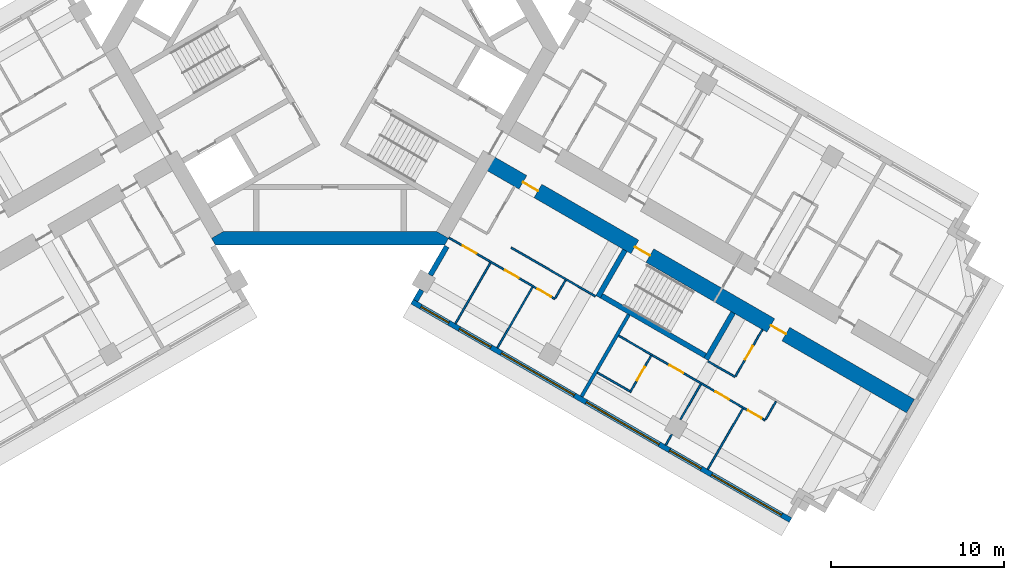
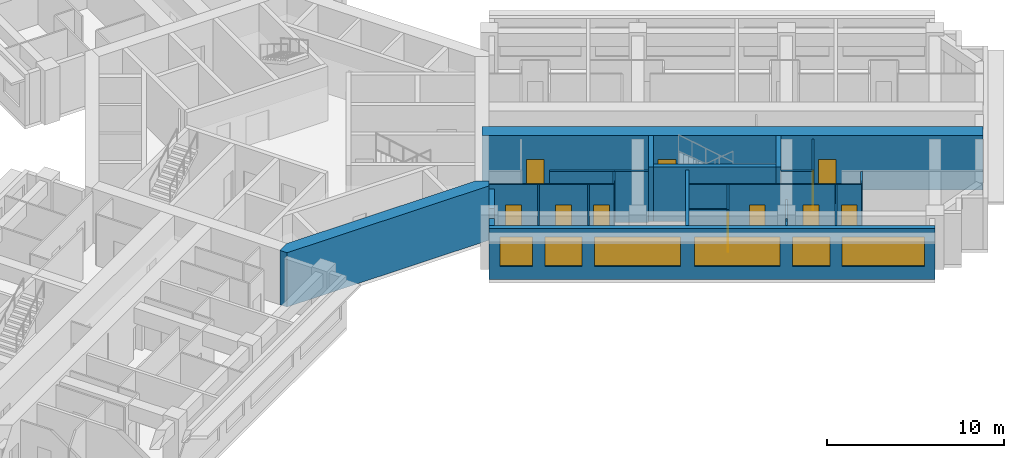
# One storey, part 5 of 12: 23 walls, 11 doors, 6 windows, 17 openings.
"""IFC4 building model written with IfcOpenShell, lengths in metres."""

from ifc_helpers import new_model, si_unit, direction, frame, frame_2d, origin, place, context, subcontext, project, spatial, polyline, rectangle, outline, extrude, material, layer, layer_set, type_object, element, fill, save


model = new_model("IFC4")

# Units and contexts
model_context = context("Model", 3, precision=1e-05, world=origin(), true_north=direction((0.0, 1.0)))
body_context = subcontext(model_context, "Body", "Model", "MODEL_VIEW")
ifc_project = project(units=[si_unit("LENGTHUNIT", "METRE"), si_unit("AREAUNIT", "SQUARE_METRE"), si_unit("VOLUMEUNIT", "CUBIC_METRE"), si_unit("PLANEANGLEUNIT", "RADIAN"), si_unit("MASSUNIT", "GRAM", prefix="KILO")], contexts=[model_context])

# Site, building, storey
site_placement = place(None, origin())
site = spatial("IfcSite", under=ifc_project, at=site_placement, CompositionType="ELEMENT")
building_placement = place(site_placement, origin())
building = spatial("IfcBuilding", under=site, at=building_placement, Name="Impinga Residences", CompositionType="ELEMENT")
storey_placement = place(building_placement, frame((0.0, 0.0, 166.0)))
storey = spatial("IfcBuildingStorey", under=building, at=storey_placement, Name="L41", CompositionType="ELEMENT", Elevation=166.0)

# Wall, openings, doors
ifc_material_1 = material(Name="Concrete C60/75", Category="concrete")
ifc_layer_1 = layer(ifc_material_1, 0.89990234375)
ifc_layer_set_1 = layer_set([ifc_layer_1], Name="Concrete C60/75")
wall_type_1 = type_object("IfcWallType", Name="BW2 corridor buttress wall, L24 to L44 900", PredefinedType="SHEAR", material=ifc_layer_set_1)
wall_1_placement = place(storey_placement, frame((8.95361328125, -6.554931640625, 0.0), z_axis=(0.0, 0.0, 1.0), x_axis=(0.866023392092, -0.500003484338, 0.0)))
wall_1 = element("IfcWall", 1, at=wall_1_placement, inside=storey, type_object=wall_type_1, Name="Corridor wall BW2 ED L41", PredefinedType="SHEAR", context=body_context, shape_type="SweptSolid", body=[
    extrude(rectangle(XDim=28.300048828125, YDim=0.89990234375, at=frame_2d((14.14990234375, 0.0))), origin(), (0.0, 0.0, 1.0), 3.75),
])
opening_1_placement = place(wall_1_placement, frame((9.949951171875, 0.0, 0.0)))
opening_1 = element("IfcOpeningElement", 2, at=opening_1_placement, cuts=wall_1, Name="Opening D5", PredefinedType="OPENING", context=body_context, shape_type="SweptSolid", body=[
    extrude(rectangle(XDim=1.0, YDim=2.10009765625, at=frame_2d((0.5, 1.050048828125))), frame((0.0, 0.4599609375, 0.0), z_axis=(0.0, -1.0, 0.0), x_axis=(1.0, 0.0, 0.0)), (0.0, 0.0, 1.0), 0.919921875),
])
opening_2_placement = place(wall_1_placement, frame((2.5, 0.0, 0.0)))
opening_2 = element("IfcOpeningElement", 3, at=opening_2_placement, cuts=wall_1, Name="Opening D1", PredefinedType="OPENING", context=body_context, shape_type="SweptSolid", body=[
    extrude(rectangle(XDim=1.0, YDim=2.10009765625, at=frame_2d((0.5, 1.050048828125))), frame((0.0, 0.4599609375, 0.0), z_axis=(0.0, -1.0, 0.0), x_axis=(1.0, 0.0, 0.0)), (0.0, 0.0, 1.0), 0.919921875),
])
opening_3_placement = place(wall_1_placement, frame((19.0, 0.0, 0.0)))
opening_3 = element("IfcOpeningElement", 4, at=opening_3_placement, cuts=wall_1, Name="Opening D1", PredefinedType="OPENING", context=body_context, shape_type="SweptSolid", body=[
    extrude(rectangle(XDim=1.0, YDim=2.10009765625, at=frame_2d((0.5, 1.050048828125))), frame((0.0, 0.4599609375, 0.0), z_axis=(0.0, -1.0, 0.0), x_axis=(1.0, 0.0, 0.0)), (0.0, 0.0, 1.0), 0.919921875),
])
ifc_material_2 = material(Name="Timber door set", Category="wood")
door_type_1 = type_object("IfcDoorType", Name="D1 apartment entrance door 1000x2100", OperationType="SINGLE_SWING_LEFT", PredefinedType="DOOR", material=ifc_material_2)
door_1_placement = place(opening_2_placement, origin())
door_1 = element("IfcDoor", 5, at=door_1_placement, inside=storey, type_object=door_type_1, Name="Apartment L41-EF1 entrance", OperationType="SINGLE_SWING_LEFT", OverallHeight=2.10009765625, OverallWidth=1.0, PredefinedType="DOOR", context=body_context, shape_type="SweptSolid", body=[
    extrude(rectangle(XDim=1.0, YDim=2.10009765625, at=frame_2d((0.5, 1.050048828125))), frame((0.0, 0.02490234375, 0.0), z_axis=(0.0, -1.0, 0.0), x_axis=(1.0, 0.0, 0.0)), (0.0, 0.0, 1.0), 0.050048828125),
])
fill(opening_2, door_1)
door_2_placement = place(opening_3_placement, origin())
door_2 = element("IfcDoor", 6, at=door_2_placement, inside=storey, type_object=door_type_1, Name="Apartment L41-EF2 entrance", OperationType="SINGLE_SWING_RIGHT", OverallHeight=2.10009765625, OverallWidth=1.0, PredefinedType="DOOR", context=body_context, shape_type="SweptSolid", body=[
    extrude(rectangle(XDim=1.0, YDim=2.10009765625, at=frame_2d((0.5, 1.050048828125))), frame((0.0, 0.02490234375, 0.0), z_axis=(0.0, -1.0, 0.0), x_axis=(1.0, 0.0, 0.0)), (0.0, 0.0, 1.0), 0.050048828125),
])
fill(opening_3, door_2)
door_type_2 = type_object("IfcDoorType", Name="D5 stair door 1000x2100", OperationType="SINGLE_SWING_LEFT", PredefinedType="DOOR", material=ifc_material_2)
door_3_placement = place(opening_1_placement, origin())
door_3 = element("IfcDoor", 7, at=door_3_placement, inside=storey, type_object=door_type_2, Name="Wing stair door E", OperationType="SINGLE_SWING_LEFT", OverallHeight=2.10009765625, OverallWidth=1.0, PredefinedType="DOOR", context=body_context, shape_type="SweptSolid", body=[
    extrude(rectangle(XDim=1.0, YDim=2.10009765625, at=frame_2d((0.5, 1.050048828125))), frame((0.0, 0.02490234375, 0.0), z_axis=(0.0, -1.0, 0.0), x_axis=(1.0, 0.0, 0.0)), (0.0, 0.0, 1.0), 0.050048828125),
])
fill(opening_1, door_3)

# Wall, openings, windows
ifc_material_3 = material(Name="Terracotta rainscreen on blockwork", Category="masonry")
ifc_layer_2 = layer(ifc_material_3, 0.300048828125)
ifc_layer_set_2 = layer_set([ifc_layer_2], Name="EW1 external wall, terracotta rainscreen on blockwork 300")
wall_type_2 = type_object("IfcWallType", Name="EW1 external wall, terracotta rainscreen on blockwork 300", PredefinedType="SOLIDWALL", material=ifc_layer_set_2)
wall_2_placement = place(storey_placement, frame((26.548828125, -27.279052734375, 0.0), z_axis=(0.0, 0.0, 1.0), x_axis=(-0.866026832479, 0.499997525421, 0.0)))
wall_2 = element("IfcWall", 8, at=wall_2_placement, inside=storey, type_object=wall_type_2, Name="External wall EW1 L41", PredefinedType="SOLIDWALL", context=body_context, shape_type="SweptSolid", body=[
    extrude(rectangle(XDim=25.199951171875, YDim=0.300048828125, at=frame_2d((12.60009765625, 0.0))), origin(), (0.0, 0.0, 1.0), 3.530029296875),
])
opening_4_placement = place(wall_2_placement, frame((0.60009765625, 0.0, 0.89990234375)))
opening_4 = element("IfcOpeningElement", 9, at=opening_4_placement, cuts=wall_2, Name="Opening W10", PredefinedType="OPENING", context=body_context, shape_type="SweptSolid", body=[
    extrude(rectangle(XDim=4.64990234375, YDim=2.050048828125, at=frame_2d((2.324951171875, 1.02490234375))), frame((0.0, 0.159912109375, 0.0), z_axis=(0.0, -1.0, 0.0), x_axis=(1.0, 0.0, 0.0)), (0.0, 0.0, 1.0), 0.320068359375),
])
opening_5_placement = place(wall_2_placement, frame((5.949951171875, 0.0, 0.89990234375)))
opening_5 = element("IfcOpeningElement", 10, at=opening_5_placement, cuts=wall_2, Name="Opening W9", PredefinedType="OPENING", context=body_context, shape_type="SweptSolid", body=[
    extrude(rectangle(XDim=2.10009765625, YDim=2.050048828125, at=frame_2d((1.050048828125, 1.02490234375))), frame((0.0, 0.159912109375, 0.0), z_axis=(0.0, -1.0, 0.0), x_axis=(1.0, 0.0, 0.0)), (0.0, 0.0, 1.0), 0.320068359375),
])
opening_6_placement = place(wall_2_placement, frame((8.75, 0.0, 0.89990234375)))
opening_6 = element("IfcOpeningElement", 11, at=opening_6_placement, cuts=wall_2, Name="Opening W6", PredefinedType="OPENING", context=body_context, shape_type="SweptSolid", body=[
    extrude(rectangle(XDim=4.85009765625, YDim=2.050048828125, at=frame_2d((2.425048828125, 1.02490234375))), frame((0.0, 0.159912109375, 0.0), z_axis=(0.0, -1.0, 0.0), x_axis=(1.0, 0.0, 0.0)), (0.0, 0.0, 1.0), 0.320068359375),
])
opening_7_placement = place(wall_2_placement, frame((14.39990234375, 0.0, 0.89990234375)))
opening_7 = element("IfcOpeningElement", 12, at=opening_7_placement, cuts=wall_2, Name="Opening W6", PredefinedType="OPENING", context=body_context, shape_type="SweptSolid", body=[
    extrude(rectangle(XDim=4.85009765625, YDim=2.050048828125, at=frame_2d((2.425048828125, 1.02490234375))), frame((0.0, 0.159912109375, 0.0), z_axis=(0.0, -1.0, 0.0), x_axis=(1.0, 0.0, 0.0)), (0.0, 0.0, 1.0), 0.320068359375),
])
opening_8_placement = place(wall_2_placement, frame((19.949951171875, 0.0, 0.89990234375)))
opening_8 = element("IfcOpeningElement", 13, at=opening_8_placement, cuts=wall_2, Name="Opening W9", PredefinedType="OPENING", context=body_context, shape_type="SweptSolid", body=[
    extrude(rectangle(XDim=2.10009765625, YDim=2.050048828125, at=frame_2d((1.050048828125, 1.02490234375))), frame((0.0, 0.159912109375, 0.0), z_axis=(0.0, -1.0, 0.0), x_axis=(1.0, 0.0, 0.0)), (0.0, 0.0, 1.0), 0.320068359375),
])
opening_9_placement = place(wall_2_placement, frame((22.75, 0.0, 0.89990234375)))
opening_9 = element("IfcOpeningElement", 14, at=opening_9_placement, cuts=wall_2, Name="Opening W15", PredefinedType="OPENING", context=body_context, shape_type="SweptSolid", body=[
    extrude(rectangle(XDim=1.85009765625, YDim=2.050048828125, at=frame_2d((0.925048828125, 1.02490234375))), frame((0.0, 0.159912109375, 0.0), z_axis=(0.0, -1.0, 0.0), x_axis=(1.0, 0.0, 0.0)), (0.0, 0.0, 1.0), 0.320068359375),
])
ifc_material_4 = material(Name="Aluminium window, clear double glazing", Category="aluminium")
window_type_1 = type_object("IfcWindowType", Name="W10 ribbon window 4650x2050", PartitioningType="SINGLE_PANEL", PredefinedType="WINDOW", material=ifc_material_4)
window_1_placement = place(opening_4_placement, origin())
window_1 = element("IfcWindow", 15, at=window_1_placement, inside=storey, type_object=window_type_1, Name="Window L41", OverallHeight=2.050048828125, OverallWidth=4.64990234375, PartitioningType="SINGLE_PANEL", PredefinedType="WINDOW", context=body_context, shape_type="SweptSolid", body=[
    extrude(rectangle(XDim=4.64990234375, YDim=2.050048828125, at=frame_2d((2.324951171875, 1.02490234375))), frame((0.0, 0.030029296875, 0.0), z_axis=(0.0, -1.0, 0.0), x_axis=(1.0, 0.0, 0.0)), (0.0, 0.0, 1.0), 0.06005859375),
])
fill(opening_4, window_1)
window_type_2 = type_object("IfcWindowType", Name="W15 ribbon window 1850x2050", PartitioningType="SINGLE_PANEL", PredefinedType="WINDOW", material=ifc_material_4)
window_2_placement = place(opening_9_placement, origin())
window_2 = element("IfcWindow", 16, at=window_2_placement, inside=storey, type_object=window_type_2, Name="Window L41", OverallHeight=2.050048828125, OverallWidth=1.85009765625, PartitioningType="SINGLE_PANEL", PredefinedType="WINDOW", context=body_context, shape_type="SweptSolid", body=[
    extrude(rectangle(XDim=1.85009765625, YDim=2.050048828125, at=frame_2d((0.925048828125, 1.02490234375))), frame((0.0, 0.030029296875, 0.0), z_axis=(0.0, -1.0, 0.0), x_axis=(1.0, 0.0, 0.0)), (0.0, 0.0, 1.0), 0.06005859375),
])
fill(opening_9, window_2)
window_type_3 = type_object("IfcWindowType", Name="W6 ribbon window 4850x2050", PartitioningType="SINGLE_PANEL", PredefinedType="WINDOW", material=ifc_material_4)
window_3_placement = place(opening_6_placement, origin())
window_3 = element("IfcWindow", 17, at=window_3_placement, inside=storey, type_object=window_type_3, Name="Window L41", OverallHeight=2.050048828125, OverallWidth=4.85009765625, PartitioningType="SINGLE_PANEL", PredefinedType="WINDOW", context=body_context, shape_type="SweptSolid", body=[
    extrude(rectangle(XDim=4.85009765625, YDim=2.050048828125, at=frame_2d((2.425048828125, 1.02490234375))), frame((0.0, 0.030029296875, 0.0), z_axis=(0.0, -1.0, 0.0), x_axis=(1.0, 0.0, 0.0)), (0.0, 0.0, 1.0), 0.06005859375),
])
fill(opening_6, window_3)
window_4_placement = place(opening_7_placement, origin())
window_4 = element("IfcWindow", 18, at=window_4_placement, inside=storey, type_object=window_type_3, Name="Window L41", OverallHeight=2.050048828125, OverallWidth=4.85009765625, PartitioningType="SINGLE_PANEL", PredefinedType="WINDOW", context=body_context, shape_type="SweptSolid", body=[
    extrude(rectangle(XDim=4.85009765625, YDim=2.050048828125, at=frame_2d((2.425048828125, 1.02490234375))), frame((0.0, 0.030029296875, 0.0), z_axis=(0.0, -1.0, 0.0), x_axis=(1.0, 0.0, 0.0)), (0.0, 0.0, 1.0), 0.06005859375),
])
fill(opening_7, window_4)
window_type_4 = type_object("IfcWindowType", Name="W9 ribbon window 2100x2050", PartitioningType="SINGLE_PANEL", PredefinedType="WINDOW", material=ifc_material_4)
window_5_placement = place(opening_5_placement, origin())
window_5 = element("IfcWindow", 19, at=window_5_placement, inside=storey, type_object=window_type_4, Name="Window L41", OverallHeight=2.050048828125, OverallWidth=2.10009765625, PartitioningType="SINGLE_PANEL", PredefinedType="WINDOW", context=body_context, shape_type="SweptSolid", body=[
    extrude(rectangle(XDim=2.10009765625, YDim=2.050048828125, at=frame_2d((1.050048828125, 1.02490234375))), frame((0.0, 0.030029296875, 0.0), z_axis=(0.0, -1.0, 0.0), x_axis=(1.0, 0.0, 0.0)), (0.0, 0.0, 1.0), 0.06005859375),
])
fill(opening_5, window_5)
window_6_placement = place(opening_8_placement, origin())
window_6 = element("IfcWindow", 20, at=window_6_placement, inside=storey, type_object=window_type_4, Name="Window L41", OverallHeight=2.050048828125, OverallWidth=2.10009765625, PartitioningType="SINGLE_PANEL", PredefinedType="WINDOW", context=body_context, shape_type="SweptSolid", body=[
    extrude(rectangle(XDim=2.10009765625, YDim=2.050048828125, at=frame_2d((1.050048828125, 1.02490234375))), frame((0.0, 0.030029296875, 0.0), z_axis=(0.0, -1.0, 0.0), x_axis=(1.0, 0.0, 0.0)), (0.0, 0.0, 1.0), 0.06005859375),
])
fill(opening_8, window_6)

# Walls
wall_3_placement = place(storey_placement, frame((4.929931640625, -14.624267578125, 0.0), z_axis=(0.0, 0.0, 1.0), x_axis=(0.499853302173, 0.866110083249, 0.0)))
element("IfcWall", 21, at=wall_3_placement, inside=storey, type_object=wall_type_2, Name="External wall EW1 L41", PredefinedType="SOLIDWALL", context=body_context, shape_type="SweptSolid", body=[
    extrude(rectangle(XDim=0.699951171875, YDim=0.300048828125, at=frame_2d((0.35009765625, 0.0))), origin(), (0.0, 0.0, 1.0), 3.530029296875),
])
wall_4_placement = place(storey_placement, frame((5.77978515625, -13.152099609375, 0.0), z_axis=(0.0, 0.0, 1.0), x_axis=(0.500063520245, 0.865988727248, 0.0)))
element("IfcWall", 22, at=wall_4_placement, inside=storey, type_object=wall_type_2, Name="External wall EW1 L41", PredefinedType="SOLIDWALL", context=body_context, shape_type="SweptSolid", body=[
    extrude(rectangle(XDim=1.900146484375, YDim=0.300048828125, at=frame_2d((0.9501953125, 0.0))), origin(), (0.0, 0.0, 1.0), 3.530029296875),
])
ifc_material_5 = material(Name="Gypsum board on steel studs", Category="steel")
ifc_layer_3 = layer(ifc_material_5, 0.10009765625)
ifc_layer_set_3 = layer_set([ifc_layer_3], Name="Gypsum board on steel studs")
wall_type_3 = type_object("IfcWallType", Name="IP1 partition 100", PredefinedType="PARTITIONING", material=ifc_layer_set_3)
wall_5_placement = place(storey_placement, frame((10.444580078125, -11.57275390625, 0.0), z_axis=(0.0, 0.0, 1.0), x_axis=(0.866015695474, -0.500016814911, 0.0)))
element("IfcWall", 23, at=wall_5_placement, inside=storey, type_object=wall_type_3, Name="Partition L41-EF1:DIV1", PredefinedType="PARTITIONING", context=body_context, shape_type="SweptSolid", body=[
    extrude(rectangle(XDim=5.599853515625, YDim=0.10009765625, at=frame_2d((2.7998046875, 0.0))), origin(), (0.0, 0.0, 1.0), 3.530029296875),
])

# Wall, openings, doors
wall_6_placement = place(storey_placement, frame((6.85009765625, -10.99853515625, 0.0), z_axis=(0.0, 0.0, 1.0), x_axis=(0.866031034943, -0.499990246421, 0.0)))
wall_6 = element("IfcWall", 24, at=wall_6_placement, inside=storey, type_object=wall_type_3, Name="Partition L41-EF1:STRIP", PredefinedType="PARTITIONING", context=body_context, shape_type="SweptSolid", body=[
    extrude(rectangle(XDim=7.050048828125, YDim=0.10009765625, at=frame_2d((3.52490234375, 0.0))), origin(), (0.0, 0.0, 1.0), 3.530029296875),
])
opening_10_placement = place(wall_6_placement, frame((0.925048828125, 0.0, 0.0)))
opening_10 = element("IfcOpeningElement", 25, at=opening_10_placement, cuts=wall_6, Name="Opening D2", PredefinedType="OPENING", context=body_context, shape_type="SweptSolid", body=[
    extrude(rectangle(XDim=0.89990234375, YDim=2.10009765625, at=frame_2d((0.449951171875, 1.050048828125))), frame((0.0, 0.06005859375, 0.0), z_axis=(0.0, -1.0, 0.0), x_axis=(1.0, 0.0, 0.0)), (0.0, 0.0, 1.0), 0.1201171875),
])
opening_11_placement = place(wall_6_placement, frame((3.75, 0.0, 0.0)))
opening_11 = element("IfcOpeningElement", 26, at=opening_11_placement, cuts=wall_6, Name="Opening D2", PredefinedType="OPENING", context=body_context, shape_type="SweptSolid", body=[
    extrude(rectangle(XDim=0.89990234375, YDim=2.10009765625, at=frame_2d((0.449951171875, 1.050048828125))), frame((0.0, 0.06005859375, 0.0), z_axis=(0.0, -1.0, 0.0), x_axis=(1.0, 0.0, 0.0)), (0.0, 0.0, 1.0), 0.1201171875),
])
opening_12_placement = place(wall_6_placement, frame((5.89990234375, 0.0, 0.0)))
opening_12 = element("IfcOpeningElement", 27, at=opening_12_placement, cuts=wall_6, Name="Opening D2", PredefinedType="OPENING", context=body_context, shape_type="SweptSolid", body=[
    extrude(rectangle(XDim=0.89990234375, YDim=2.10009765625, at=frame_2d((0.449951171875, 1.050048828125))), frame((0.0, 0.06005859375, 0.0), z_axis=(0.0, -1.0, 0.0), x_axis=(1.0, 0.0, 0.0)), (0.0, 0.0, 1.0), 0.1201171875),
])
door_type_3 = type_object("IfcDoorType", Name="D2 internal door 900x2100", OperationType="SINGLE_SWING_LEFT", PredefinedType="DOOR", material=ifc_material_2)
door_4_placement = place(opening_10_placement, origin())
door_4 = element("IfcDoor", 28, at=door_4_placement, inside=storey, type_object=door_type_3, Name="Apartment L41-EF1 room door", OperationType="SINGLE_SWING_LEFT", OverallHeight=2.10009765625, OverallWidth=0.89990234375, PredefinedType="DOOR", context=body_context, shape_type="SweptSolid", body=[
    extrude(rectangle(XDim=0.89990234375, YDim=2.10009765625, at=frame_2d((0.449951171875, 1.050048828125))), frame((0.0, 0.02490234375, 0.0), z_axis=(0.0, -1.0, 0.0), x_axis=(1.0, 0.0, 0.0)), (0.0, 0.0, 1.0), 0.050048828125),
])
fill(opening_10, door_4)
door_5_placement = place(opening_11_placement, origin())
door_5 = element("IfcDoor", 29, at=door_5_placement, inside=storey, type_object=door_type_3, Name="Apartment L41-EF1 room door", OperationType="SINGLE_SWING_RIGHT", OverallHeight=2.10009765625, OverallWidth=0.89990234375, PredefinedType="DOOR", context=body_context, shape_type="SweptSolid", body=[
    extrude(rectangle(XDim=0.89990234375, YDim=2.10009765625, at=frame_2d((0.449951171875, 1.050048828125))), frame((0.0, 0.02490234375, 0.0), z_axis=(0.0, -1.0, 0.0), x_axis=(1.0, 0.0, 0.0)), (0.0, 0.0, 1.0), 0.050048828125),
])
fill(opening_11, door_5)
door_6_placement = place(opening_12_placement, origin())
door_6 = element("IfcDoor", 30, at=door_6_placement, inside=storey, type_object=door_type_3, Name="Apartment L41-EF1 room door", OperationType="SINGLE_SWING_RIGHT", OverallHeight=2.10009765625, OverallWidth=0.89990234375, PredefinedType="DOOR", context=body_context, shape_type="SweptSolid", body=[
    extrude(rectangle(XDim=0.89990234375, YDim=2.10009765625, at=frame_2d((0.449951171875, 1.050048828125))), frame((0.0, 0.02490234375, 0.0), z_axis=(0.0, -1.0, 0.0), x_axis=(1.0, 0.0, 0.0)), (0.0, 0.0, 1.0), 0.050048828125),
])
fill(opening_12, door_6)

# Walls
wall_7_placement = place(storey_placement, frame((13.58056640625, -13.44091796875, 0.0), z_axis=(0.0, 0.0, 1.0), x_axis=(-0.500033551112, -0.866006032174, 0.0)))
element("IfcWall", 31, at=wall_7_placement, inside=storey, type_object=wall_type_3, Name="Partition L41-EF1:SE1", PredefinedType="PARTITIONING", context=body_context, shape_type="SweptSolid", body=[
    extrude(rectangle(XDim=1.2001953125, YDim=0.10009765625, at=frame_2d((0.60009765625, 0.0))), origin(), (0.0, 0.0, 1.0), 3.530029296875),
])
wall_8_placement = place(storey_placement, frame((9.249755859375, -12.44189453125, 0.0), z_axis=(0.0, 0.0, 1.0), x_axis=(-0.499990325971, -0.866030989016, 0.0)))
element("IfcWall", 32, at=wall_8_placement, inside=storey, type_object=wall_type_3, Name="Partition L41-EF1:OB1", PredefinedType="PARTITIONING", context=body_context, shape_type="SweptSolid", body=[
    extrude(rectangle(XDim=4.0498046875, YDim=0.10009765625, at=frame_2d((2.02490234375, 0.0))), origin(), (0.0, 0.0, 1.0), 3.530029296875),
])
wall_9_placement = place(storey_placement, frame((11.6748046875, -13.841796875, 0.0), z_axis=(0.0, 0.0, 1.0), x_axis=(-0.500035537042, -0.866004885491, 0.0)))
element("IfcWall", 33, at=wall_9_placement, inside=storey, type_object=wall_type_3, Name="Partition L41-EF1:OB2", PredefinedType="PARTITIONING", context=body_context, shape_type="SweptSolid", body=[
    extrude(rectangle(XDim=4.050048828125, YDim=0.10009765625, at=frame_2d((2.02490234375, 0.0))), origin(), (0.0, 0.0, 1.0), 3.530029296875),
])
wall_10_placement = place(storey_placement, frame((21.789306640625, -18.122802734375, 0.0), z_axis=(0.0, 0.0, 1.0), x_axis=(0.866047807691, -0.499961193289, 0.0)))
element("IfcWall", 34, at=wall_10_placement, inside=storey, type_object=wall_type_3, Name="Partition L41-EF2:DIV0", PredefinedType="PARTITIONING", context=body_context, shape_type="SweptSolid", body=[
    extrude(rectangle(XDim=1.800048828125, YDim=0.10009765625, at=frame_2d((0.89990234375, 0.0))), origin(), (0.0, 0.0, 1.0), 3.530029296875),
])

# Wall, openings, doors
wall_11_placement = place(storey_placement, frame((16.635986328125, -16.6484375, 0.0), z_axis=(0.0, 0.0, 1.0), x_axis=(0.866027967067, -0.499995560238, 0.0)))
wall_11 = element("IfcWall", 35, at=wall_11_placement, inside=storey, type_object=wall_type_3, Name="Partition L41-EF2:STRIP", PredefinedType="PARTITIONING", context=body_context, shape_type="SweptSolid", body=[
    extrude(rectangle(XDim=9.75, YDim=0.10009765625, at=frame_2d((4.875, 0.0))), origin(), (0.0, 0.0, 1.0), 3.530029296875),
])
opening_13_placement = place(wall_11_placement, frame((3.39990234375, 0.0, 0.0)))
opening_13 = element("IfcOpeningElement", 36, at=opening_13_placement, cuts=wall_11, Name="Opening D2", PredefinedType="OPENING", context=body_context, shape_type="SweptSolid", body=[
    extrude(rectangle(XDim=0.89990234375, YDim=2.10009765625, at=frame_2d((0.449951171875, 1.050048828125))), frame((0.0, 0.06005859375, 0.0), z_axis=(0.0, -1.0, 0.0), x_axis=(1.0, 0.0, 0.0)), (0.0, 0.0, 1.0), 0.1201171875),
])
opening_14_placement = place(wall_11_placement, frame((6.449951171875, 0.0, 0.0)))
opening_14 = element("IfcOpeningElement", 37, at=opening_14_placement, cuts=wall_11, Name="Opening D2", PredefinedType="OPENING", context=body_context, shape_type="SweptSolid", body=[
    extrude(rectangle(XDim=0.89990234375, YDim=2.10009765625, at=frame_2d((0.449951171875, 1.050048828125))), frame((0.0, 0.06005859375, 0.0), z_axis=(0.0, -1.0, 0.0), x_axis=(1.0, 0.0, 0.0)), (0.0, 0.0, 1.0), 0.1201171875),
])
opening_15_placement = place(wall_11_placement, frame((8.60009765625, 0.0, 0.0)))
opening_15 = element("IfcOpeningElement", 38, at=opening_15_placement, cuts=wall_11, Name="Opening D2", PredefinedType="OPENING", context=body_context, shape_type="SweptSolid", body=[
    extrude(rectangle(XDim=0.89990234375, YDim=2.10009765625, at=frame_2d((0.449951171875, 1.050048828125))), frame((0.0, 0.06005859375, 0.0), z_axis=(0.0, -1.0, 0.0), x_axis=(1.0, 0.0, 0.0)), (0.0, 0.0, 1.0), 0.1201171875),
])
door_7_placement = place(opening_13_placement, origin())
door_7 = element("IfcDoor", 39, at=door_7_placement, inside=storey, type_object=door_type_3, Name="Apartment L41-EF2 room door", OperationType="SINGLE_SWING_LEFT", OverallHeight=2.10009765625, OverallWidth=0.89990234375, PredefinedType="DOOR", context=body_context, shape_type="SweptSolid", body=[
    extrude(rectangle(XDim=0.89990234375, YDim=2.10009765625, at=frame_2d((0.449951171875, 1.050048828125))), frame((0.0, 0.02490234375, 0.0), z_axis=(0.0, -1.0, 0.0), x_axis=(1.0, 0.0, 0.0)), (0.0, 0.0, 1.0), 0.050048828125),
])
fill(opening_13, door_7)
door_8_placement = place(opening_14_placement, origin())
door_8 = element("IfcDoor", 40, at=door_8_placement, inside=storey, type_object=door_type_3, Name="Apartment L41-EF2 room door", OperationType="SINGLE_SWING_RIGHT", OverallHeight=2.10009765625, OverallWidth=0.89990234375, PredefinedType="DOOR", context=body_context, shape_type="SweptSolid", body=[
    extrude(rectangle(XDim=0.89990234375, YDim=2.10009765625, at=frame_2d((0.449951171875, 1.050048828125))), frame((0.0, 0.02490234375, 0.0), z_axis=(0.0, -1.0, 0.0), x_axis=(1.0, 0.0, 0.0)), (0.0, 0.0, 1.0), 0.050048828125),
])
fill(opening_14, door_8)
door_9_placement = place(opening_15_placement, origin())
door_9 = element("IfcDoor", 41, at=door_9_placement, inside=storey, type_object=door_type_3, Name="Apartment L41-EF2 room door", OperationType="SINGLE_SWING_RIGHT", OverallHeight=2.10009765625, OverallWidth=0.89990234375, PredefinedType="DOOR", context=body_context, shape_type="SweptSolid", body=[
    extrude(rectangle(XDim=0.89990234375, YDim=2.10009765625, at=frame_2d((0.449951171875, 1.050048828125))), frame((0.0, 0.02490234375, 0.0), z_axis=(0.0, -1.0, 0.0), x_axis=(1.0, 0.0, 0.0)), (0.0, 0.0, 1.0), 0.050048828125),
])
fill(opening_15, door_9)

# Wall
wall_12_placement = place(storey_placement, frame((25.704833984375, -20.44091796875, 0.0), z_axis=(0.0, 0.0, 1.0), x_axis=(-0.500033551112, -0.866006032174, 0.0)))
element("IfcWall", 42, at=wall_12_placement, inside=storey, type_object=wall_type_3, Name="Partition L41-EF2:SE1", PredefinedType="PARTITIONING", context=body_context, shape_type="SweptSolid", body=[
    extrude(rectangle(XDim=1.2001953125, YDim=0.10009765625, at=frame_2d((0.60009765625, 0.0))), origin(), (0.0, 0.0, 1.0), 3.530029296875),
])

# Wall, opening, door
wall_13_placement = place(storey_placement, frame((24.92333984375, -16.294677734375, 0.0), z_axis=(0.0, 0.0, 1.0), x_axis=(-0.49999285859, -0.86602952684, 0.0)))
wall_13 = element("IfcWall", 43, at=wall_13_placement, inside=storey, type_object=wall_type_3, Name="Partition L41-EF2:IB1", PredefinedType="PARTITIONING", context=body_context, shape_type="SweptSolid", body=[
    extrude(rectangle(XDim=3.10009765625, YDim=0.10009765625, at=frame_2d((1.550048828125, 0.0))), origin(), (0.0, 0.0, 1.0), 3.530029296875),
])
opening_16_placement = place(wall_13_placement, frame((1.10009765625, 0.0, 0.0)))
opening_16 = element("IfcOpeningElement", 44, at=opening_16_placement, cuts=wall_13, Name="Opening D2", PredefinedType="OPENING", context=body_context, shape_type="SweptSolid", body=[
    extrude(rectangle(XDim=0.89990234375, YDim=2.10009765625, at=frame_2d((0.449951171875, 1.050048828125))), frame((0.0, 0.06005859375, 0.0), z_axis=(0.0, -1.0, 0.0), x_axis=(1.0, 0.0, 0.0)), (0.0, 0.0, 1.0), 0.1201171875),
])
door_10_placement = place(opening_16_placement, origin())
door_10 = element("IfcDoor", 45, at=door_10_placement, inside=storey, type_object=door_type_3, Name="Apartment L41-EF2 bathroom door", OperationType="SINGLE_SWING_LEFT", OverallHeight=2.10009765625, OverallWidth=0.89990234375, PredefinedType="DOOR", context=body_context, shape_type="SweptSolid", body=[
    extrude(rectangle(XDim=0.89990234375, YDim=2.10009765625, at=frame_2d((0.449951171875, 1.050048828125))), frame((0.0, 0.02490234375, 0.0), z_axis=(0.0, -1.0, 0.0), x_axis=(1.0, 0.0, 0.0)), (0.0, 0.0, 1.0), 0.050048828125),
])
fill(opening_16, door_10)

# Walls
wall_14_placement = place(storey_placement, frame((21.374267578125, -19.44189453125, 0.0), z_axis=(0.0, 0.0, 1.0), x_axis=(-0.500016218704, -0.866016039709, 0.0)))
element("IfcWall", 46, at=wall_14_placement, inside=storey, type_object=wall_type_3, Name="Partition L41-EF2:OB1", PredefinedType="PARTITIONING", context=body_context, shape_type="SweptSolid", body=[
    extrude(rectangle(XDim=2.35009765625, YDim=0.10009765625, at=frame_2d((1.175048828125, 0.0))), origin(), (0.0, 0.0, 1.0), 2.47998046875),
])
wall_15_placement = place(storey_placement, frame((19.69921875, -22.343017578125, 0.0), z_axis=(0.0, 0.0, 1.0), x_axis=(-0.500114896893, -0.865959057869, 0.0)))
element("IfcWall", 47, at=wall_15_placement, inside=storey, type_object=wall_type_3, Name="Partition L41-EF2:OB1b", PredefinedType="PARTITIONING", context=body_context, shape_type="SweptSolid", body=[
    extrude(rectangle(XDim=0.699951171875, YDim=0.10009765625, at=frame_2d((0.35009765625, 0.0))), origin(), (0.0, 0.0, 1.0), 3.530029296875),
])
wall_16_placement = place(storey_placement, frame((23.799072265625, -20.841796875, 0.0), z_axis=(0.0, 0.0, 1.0), x_axis=(-0.499990325971, -0.866030989016, 0.0)))
element("IfcWall", 48, at=wall_16_placement, inside=storey, type_object=wall_type_3, Name="Partition L41-EF2:OB2", PredefinedType="PARTITIONING", context=body_context, shape_type="SweptSolid", body=[
    extrude(rectangle(XDim=4.0498046875, YDim=0.10009765625, at=frame_2d((2.02490234375, 0.0))), origin(), (0.0, 0.0, 1.0), 3.530029296875),
])

# Wall, opening, door
wall_17_placement = place(storey_placement, frame((18.516357421875, -17.791748046875, 0.0), z_axis=(0.0, 0.0, 1.0), x_axis=(-0.500018594424, -0.866014668023, 0.0)))
wall_17 = element("IfcWall", 49, at=wall_17_placement, inside=storey, type_object=wall_type_3, Name="Partition L41-EF2:EN1", PredefinedType="PARTITIONING", context=body_context, shape_type="SweptSolid", body=[
    extrude(rectangle(XDim=2.4501953125, YDim=0.10009765625, at=frame_2d((1.22509765625, 0.0))), origin(), (0.0, 0.0, 1.0), 3.530029296875),
])
opening_17_placement = place(wall_17_placement, frame((0.75, 0.0, 0.0)))
opening_17 = element("IfcOpeningElement", 50, at=opening_17_placement, cuts=wall_17, Name="Opening D2", PredefinedType="OPENING", context=body_context, shape_type="SweptSolid", body=[
    extrude(rectangle(XDim=0.89990234375, YDim=2.10009765625, at=frame_2d((0.449951171875, 1.050048828125))), frame((0.0, 0.06005859375, 0.0), z_axis=(0.0, -1.0, 0.0), x_axis=(1.0, 0.0, 0.0)), (0.0, 0.0, 1.0), 0.1201171875),
])
door_11_placement = place(opening_17_placement, origin())
door_11 = element("IfcDoor", 51, at=door_11_placement, inside=storey, type_object=door_type_3, Name="Apartment L41-EF2 en-suite door", OperationType="SINGLE_SWING_LEFT", OverallHeight=2.10009765625, OverallWidth=0.89990234375, PredefinedType="DOOR", context=body_context, shape_type="SweptSolid", body=[
    extrude(rectangle(XDim=0.89990234375, YDim=2.10009765625, at=frame_2d((0.449951171875, 1.050048828125))), frame((0.0, 0.02490234375, 0.0), z_axis=(0.0, -1.0, 0.0), x_axis=(1.0, 0.0, 0.0)), (0.0, 0.0, 1.0), 0.050048828125),
])
fill(opening_17, door_11)

# Walls
wall_18_placement = place(storey_placement, frame((15.4111328125, -18.770263671875, 0.0), z_axis=(0.0, 0.0, 1.0), x_axis=(0.866019166195, -0.500010803666, 0.0)))
element("IfcWall", 52, at=wall_18_placement, inside=storey, type_object=wall_type_3, Name="Partition L41-EF2:EN2", PredefinedType="PARTITIONING", context=body_context, shape_type="SweptSolid", body=[
    extrude(rectangle(XDim=2.14990234375, YDim=0.10009765625, at=frame_2d((1.074951171875, 0.0))), origin(), (0.0, 0.0, 1.0), 3.530029296875),
])
ifc_material_6 = material(Name="Concrete blockwork", Category="masonry")
ifc_layer_4 = layer(ifc_material_6, 0.199951171875)
ifc_layer_set_4 = layer_set([ifc_layer_4], Name="PW1 party wall between apartments 200")
wall_type_4 = type_object("IfcWallType", Name="PW1 party wall between apartments 200", PredefinedType="SOLIDWALL", material=ifc_layer_set_4)
wall_19_placement = place(storey_placement, frame((17.224365234375, -15.429443359375, 0.0), z_axis=(0.0, 0.0, 1.0), x_axis=(-0.499988730927, -0.866031909889, 0.0)))
element("IfcWall", 53, at=wall_19_placement, inside=storey, type_object=wall_type_4, Name="Party wall between apartments L41-EF1:PARTY", PredefinedType="SOLIDWALL", context=body_context, shape_type="SweptSolid", body=[
    extrude(rectangle(XDim=5.449951171875, YDim=0.199951171875, at=frame_2d((2.72509765625, 0.0))), origin(), (0.0, 0.0, 1.0), 3.530029296875),
])
ifc_layer_5 = layer(ifc_material_1, 0.300048828125)
ifc_layer_set_5 = layer_set([ifc_layer_5], Name="Concrete C60/75")
wall_type_5 = type_object("IfcWallType", Name="SE1 wing stair enclosure wall 300", PredefinedType="SOLIDWALL", material=ifc_layer_set_5)
for number, where, z_axis, x_axis, name in (
    (54, (16.9990234375, -11.7197265625, 0.0), (0.0, 0.0, 1.0), (-0.499967891604, -0.866043940782, 0.0), "Stair enclosure wall SE1 E END0 L41"),
    (55, (23.234619140625, -15.31982421875, 0.0), (0.0, 0.0, 1.0), (-0.500026960575, -0.86600983753, 0.0), "Stair enclosure wall SE1 E END1 L41"),
):
    element("IfcWall", number, at=place(storey_placement, frame(where, z_axis=z_axis, x_axis=x_axis)), inside=storey, type_object=wall_type_5, Name=name, PredefinedType="SOLIDWALL", context=body_context, shape_type="SweptSolid", body=[
        extrude(rectangle(XDim=3.099853515625, YDim=0.300048828125, at=frame_2d((1.5498046875, 0.0))), origin(), (0.0, 0.0, 1.0), 3.75),
    ])
wall_20_placement = place(storey_placement, frame((15.654052734375, -14.349365234375, 0.0), z_axis=(0.0, 0.0, 1.0), x_axis=(0.866013532718, -0.500020560727, 0.0)))
element("IfcWall", 56, at=wall_20_placement, inside=storey, type_object=wall_type_5, Name="Stair enclosure wall SE1 E OUT L41", PredefinedType="SOLIDWALL", context=body_context, shape_type="SweptSolid", body=[
    extrude(rectangle(XDim=6.900146484375, YDim=0.300048828125, at=frame_2d((3.4501953125, 0.0))), origin(), (0.0, 0.0, 1.0), 3.75),
])
ifc_layer_6 = layer(ifc_material_1, 0.800048828125)
ifc_layer_set_6 = layer_set([ifc_layer_6], Name="Concrete C60/75")
wall_type_6 = type_object("IfcWallType", Name="SW2 core wall 800", PredefinedType="SHEAR", material=ifc_layer_set_6)
wall_21_placement = place(storey_placement, origin())
element("IfcWall", 57, at=wall_21_placement, inside=storey, type_object=wall_type_6, Name="Core wall SW2 N:EXPOSED L41", PredefinedType="SHEAR", context=body_context, shape_type="SweptSolid", body=[
    extrude(outline(polyline([(-6.60009765625, -11.431640625), (6.60009765625, -11.431640625), (6.8310546875, -11.031494140625), (6.13818359375, -10.631591796875), (-6.13818359375, -10.631591796875), (-6.8310546875, -11.031494140625), (-6.60009765625, -11.431640625)])), origin(), (0.0, 0.0, 1.0), 3.75),
])

save(model, "model.ifc")
